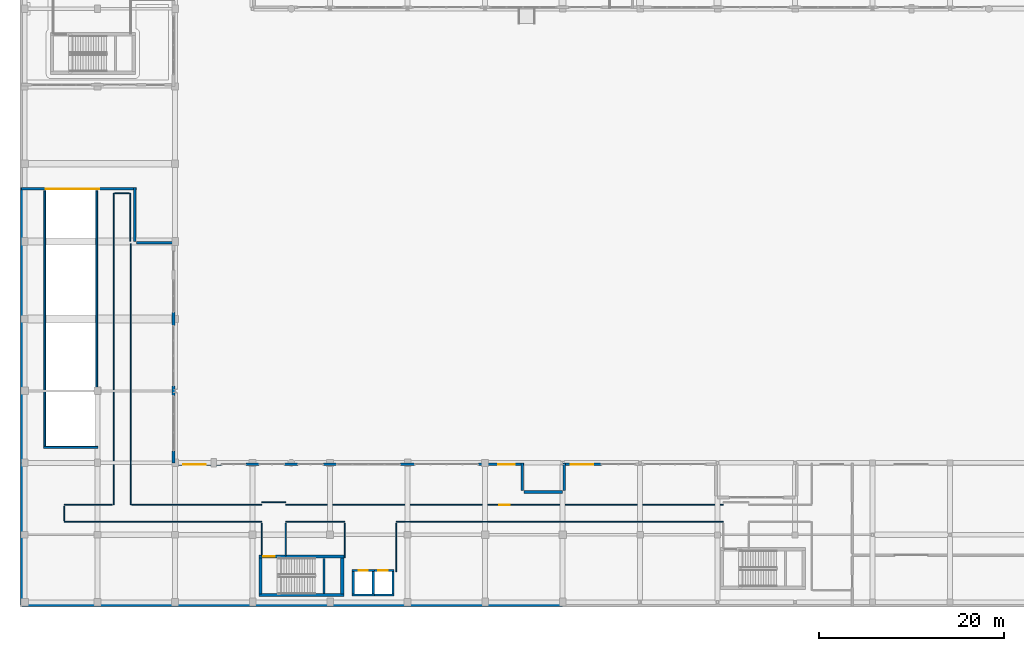
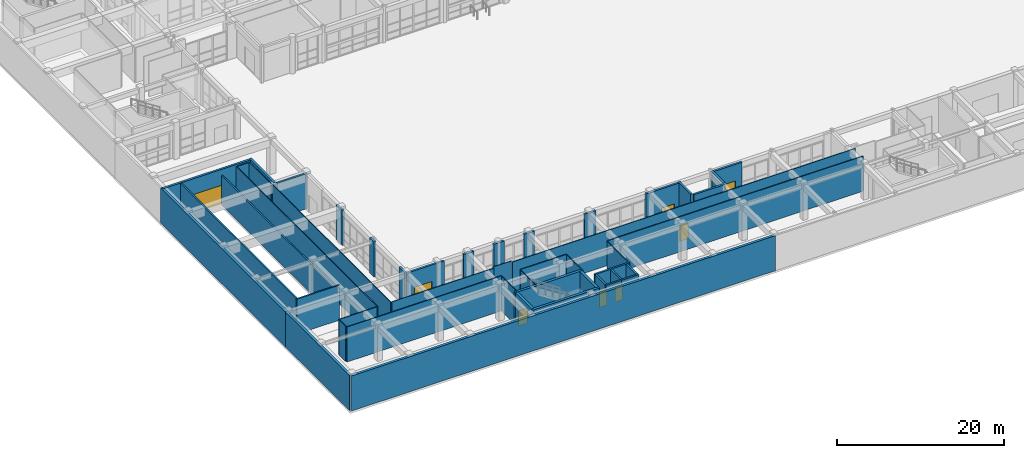
# One storey, part 127 of 148: 50 walls, 8 doors, 8 openings.
"""IFC4 building model written with IfcOpenShell, lengths in metres."""

import ifcopenshell
import ifcopenshell.guid

model = None  # the IFC model being written
_history = None  # IfcOwnerHistory: only IFC2X3 demands one
_inside = {}  # id of a spatial element -> (the spatial element, [elements in it])
_under = {}  # id of a project, library or spatial element -> (it, [spatial elements below it])
_declared = {}  # id of a project -> (the project, [libraries it declares])
_typed = {}  # id of a type object -> (the type object, [elements of that type])
_made_of = {}  # id of a material, layer set ... -> (it, [elements and type objects made of it])


def new_model(schema):
    """Start an empty IFC model of exactly this schema.

    Asked for "IFC4X3", IfcOpenShell would pick the latest addendum, in which some entities
    have other attributes; the version numbers below select the first issue.
    IFC2X3 requires an IfcOwnerHistory on every rooted entity: one is made here for all.
    """
    global model, _history
    if schema == "IFC4X3":
        model = ifcopenshell.file(schema_version=(4, 3, 0, 0))
    else:
        model = ifcopenshell.file(schema=schema)
    _inside.clear()
    _under.clear()
    _declared.clear()
    _typed.clear()
    _made_of.clear()
    _history = None
    if model.schema == "IFC2X3":
        org = make("IfcOrganization", Name="unknown")
        user = make(
            "IfcPersonAndOrganization",
            ThePerson=make("IfcPerson", FamilyName="unknown"),
            TheOrganization=org,
        )
        app = make(
            "IfcApplication",
            ApplicationDeveloper=org,
            Version="unknown",
            ApplicationFullName="unknown",
            ApplicationIdentifier="unknown",
        )
        _history = make(
            "IfcOwnerHistory",
            OwningUser=user,
            OwningApplication=app,
            ChangeAction="ADDED",
            CreationDate=0,
        )
    return model


def make(cls, **values):
    """One entity of the class cls with the attributes given. An attribute that is None is left unset."""
    return model.create_entity(
        cls, **{name: value for name, value in values.items() if value is not None}
    )


def rooted(cls, **values):
    """An entity with a GlobalId (a new one), such as an element, a storey or a relation."""
    return make(cls, GlobalId=ifcopenshell.guid.new(), OwnerHistory=_history, **values)


def si_unit(unit_type, name, prefix=None):
    """IfcSIUnit, for example si_unit("LENGTHUNIT", "METRE", prefix="MILLI")."""
    return make("IfcSIUnit", UnitType=unit_type, Prefix=prefix, Name=name)


def assignment(units):
    """IfcUnitAssignment: the units of a project."""
    return None if units is None else make("IfcUnitAssignment", Units=units)


def point(xyz):
    """IfcCartesianPoint."""
    return None if xyz is None else make("IfcCartesianPoint", Coordinates=xyz)


def direction(xyz):
    """IfcDirection."""
    return None if xyz is None else make("IfcDirection", DirectionRatios=xyz)


def frame(location, z_axis=None, x_axis=None):
    """IfcAxis2Placement3D, a coordinate frame: its origin and axes. An axis left out is left unset."""
    return make(
        "IfcAxis2Placement3D",
        Location=point(location),
        Axis=direction(z_axis),
        RefDirection=direction(x_axis),
    )


def frame_2d(location, x_axis=None):
    """IfcAxis2Placement2D, a coordinate frame in the plane: its origin and x axis."""
    return make(
        "IfcAxis2Placement2D", Location=point(location), RefDirection=direction(x_axis)
    )


def origin():
    """The frame at (0, 0, 0) with its axes left unset."""
    return frame((0.0, 0.0, 0.0))


def place(relative_to, where):
    """IfcLocalPlacement: puts the frame where relative to a parent placement (None: the world)."""
    return make(
        "IfcLocalPlacement", PlacementRelTo=relative_to, RelativePlacement=where
    )


def context(
    kind, dimensions, precision=None, world=None, true_north=None, identifier=None
):
    """IfcGeometricRepresentationContext, for example the 3D "Model" context."""
    return make(
        "IfcGeometricRepresentationContext",
        ContextIdentifier=identifier,
        ContextType=kind,
        CoordinateSpaceDimension=dimensions,
        Precision=precision,
        WorldCoordinateSystem=world,
        TrueNorth=true_north,
    )


def subcontext(parent, identifier, kind, view, scale=None):
    """IfcGeometricRepresentationSubContext, for example "Body" below "Model"."""
    return make(
        "IfcGeometricRepresentationSubContext",
        ContextIdentifier=identifier,
        ContextType=kind,
        ParentContext=parent,
        TargetScale=scale,
        TargetView=view,
    )


def project(units=None, contexts=None):
    """IfcProject with its units and contexts."""
    return rooted(
        "IfcProject",
        Name="project",
        RepresentationContexts=contexts,
        UnitsInContext=assignment(units),
    )


def spatial(cls, under=None, at=None, **own):
    """A site, building, storey or space (cls), placed at a placement, below another one or the project."""
    s = rooted(cls, ObjectPlacement=at, **own)
    if under is not None:
        _under.setdefault(under.id(), (under, []))[1].append(s)
    return s


def profile(cls, at=None, kind="AREA", **sizes):
    """A parametric profile (cls). Its sizes go by their IFC names, for example OverallWidth=200.0."""
    return make(cls, ProfileType=kind, Position=at, **sizes)


def rectangle(**sizes):
    """IfcRectangleProfileDef."""
    return profile("IfcRectangleProfileDef", **sizes)


def extrude(swept, where, along, depth):
    """IfcExtrudedAreaSolid: the profile swept, set in the frame where, extruded along a direction by depth."""
    return make(
        "IfcExtrudedAreaSolid",
        SweptArea=swept,
        Position=where,
        ExtrudedDirection=direction(along),
        Depth=depth,
    )


def shape(context_of_items, identifier, shape_type, items):
    """IfcShapeRepresentation: the items that make up one representation, for example the "Body"."""
    return make(
        "IfcShapeRepresentation",
        ContextOfItems=context_of_items,
        RepresentationIdentifier=identifier,
        RepresentationType=shape_type,
        Items=items,
    )


def material(Name=None, Category=None):
    """IfcMaterial."""
    return make("IfcMaterial", Name=Name, Category=Category)


def layer(
    of_material, thickness, ventilated=None, Name=None, Category=None, Priority=None
):
    """IfcMaterialLayer: one layer of a wall or slab, of a material (None: an air gap)."""
    return make(
        "IfcMaterialLayer",
        Material=of_material,
        LayerThickness=thickness,
        IsVentilated=ventilated,
        Name=Name,
        Category=Category,
        Priority=Priority,
    )


def layer_set(layers, Name=None):
    """IfcMaterialLayerSet."""
    return make("IfcMaterialLayerSet", MaterialLayers=layers, LayerSetName=Name)


def made_of(thing, what):
    """Note that an element or type object is made of a material, layer set ...; save() writes the relation."""
    if what is not None:
        _made_of.setdefault(what.id(), (what, []))[1].append(thing)
    return thing


def type_object(cls, material=None, **own):
    """A type object (cls), such as IfcWallType, which elements share."""
    return made_of(rooted(cls, **own), material)


def element(
    cls,
    number,
    at=None,
    inside=None,
    cuts=None,
    type_object=None,
    material=None,
    context=None,
    identifier="Body",
    shape_type=None,
    held_by="IfcProductDefinitionShape",
    body=None,
    shapes=None,
    **own,
):
    """One element of the class cls, such as IfcWall. Its Tag is "e" and its number.

    at: its placement. inside: the storey or other place that contains it. cuts: it is an
    opening in that element (IfcRelVoidsElement). A single representation is given by context,
    identifier, shape_type and body (its items); several are given by shapes. held_by: the class
    of the entity that holds the representations. save() writes the other relations.
    """
    e = rooted(cls, Tag="e%d" % number, ObjectPlacement=at, **own)
    if body is not None:
        shapes = [shape(context, identifier, shape_type, body)]
    if shapes is not None:
        e.Representation = make(held_by, Representations=shapes)
    if inside is not None:
        _inside.setdefault(inside.id(), (inside, []))[1].append(e)
    if cuts is not None:
        rooted(
            "IfcRelVoidsElement", RelatingBuildingElement=cuts, RelatedOpeningElement=e
        )
    if type_object is not None:
        _typed.setdefault(type_object.id(), (type_object, []))[1].append(e)
    return made_of(e, material)


def fill(opening, filler):
    """IfcRelFillsElement: the door or window that sits in an opening."""
    return rooted(
        "IfcRelFillsElement",
        RelatingOpeningElement=opening,
        RelatedBuildingElement=filler,
    )


def aggregate(whole, parts):
    """IfcRelAggregates: a whole, such as a stair, and the parts it consists of."""
    return rooted("IfcRelAggregates", RelatingObject=whole, RelatedObjects=parts)


def save(model, path):
    """Write the relations noted so far, then the file.

    IfcRelAggregates (storeys below a building ...), IfcRelContainedInSpatialStructure (elements
    in a storey), IfcRelDefinesByType, IfcRelAssociatesMaterial and IfcRelDeclares: one each for
    every whole, place, type object, material and project.
    """
    for whole, parts in _under.values():
        aggregate(whole, parts)
    for where, things in _inside.values():
        rooted(
            "IfcRelContainedInSpatialStructure",
            RelatedElements=things,
            RelatingStructure=where,
        )
    for kind, things in _typed.values():
        rooted("IfcRelDefinesByType", RelatedObjects=things, RelatingType=kind)
    for what, things in _made_of.values():
        rooted("IfcRelAssociatesMaterial", RelatedObjects=things, RelatingMaterial=what)
    for by, libraries in _declared.values():
        rooted("IfcRelDeclares", RelatingContext=by, RelatedDefinitions=libraries)
    model.write(path)


model = new_model("IFC4")

# Units and contexts
model_context = context("Model", 3, precision=1e-05, world=origin(), true_north=direction((0.0, 1.0)))
body_context = subcontext(model_context, "Body", "Model", "MODEL_VIEW")
ifc_project = project(units=[si_unit("LENGTHUNIT", "METRE"), si_unit("AREAUNIT", "SQUARE_METRE"), si_unit("VOLUMEUNIT", "CUBIC_METRE"), si_unit("PLANEANGLEUNIT", "RADIAN"), si_unit("MASSUNIT", "GRAM", prefix="KILO")], contexts=[model_context])

# Site, building, storey
site_placement = place(None, origin())
site = spatial("IfcSite", under=ifc_project, at=site_placement, CompositionType="ELEMENT")
building_placement = place(site_placement, origin())
building = spatial("IfcBuilding", under=site, at=building_placement, Name="Quendrovan Civic Courthouse", CompositionType="ELEMENT")
storey_placement = place(building_placement, origin())
storey = spatial("IfcBuildingStorey", under=building, at=storey_placement, Name="L01", CompositionType="ELEMENT", Elevation=0.0)

# Wall
ifc_material_1 = material(Name="Concrete C45/55", Category="concrete")
ifc_layer_1 = layer(ifc_material_1, 0.35009765625, Name="Concrete C45/55")
ifc_layer_set_1 = layer_set([ifc_layer_1], Name="Concrete C45/55")
wall_type_1 = type_object("IfcWallType", Name="WL-CORE-350", PredefinedType="SHEAR", material=ifc_layer_set_1)
wall_1_placement = place(storey_placement, frame((25.889892578125, 1.264892578125, 0.0), z_axis=(0.0, 0.0, 1.0), x_axis=(1.0, 0.0, 0.0)))
element("IfcWall", 1, at=wall_1_placement, inside=storey, type_object=wall_type_1, Name="L01 Core Shear Wall ST5-S", PredefinedType="SHEAR", context=body_context, shape_type="SweptSolid", body=[
    extrude(rectangle(XDim=9.22021484375, YDim=0.35009765625, at=frame_2d((4.610107421875, 0.0))), origin(), (0.0, 0.0, 1.0), 5.1201171875),
])

# Wall, opening, door
wall_2_placement = place(storey_placement, frame((35.110107421875, 5.43505859375, 0.0), z_axis=(0.0, 0.0, 1.0), x_axis=(-1.0, 0.0, 0.0)))
wall_2 = element("IfcWall", 2, at=wall_2_placement, inside=storey, type_object=wall_type_1, Name="L01 Core Shear Wall ST5-N", PredefinedType="SHEAR", context=body_context, shape_type="SweptSolid", body=[
    extrude(rectangle(XDim=9.22021484375, YDim=0.35009765625, at=frame_2d((4.610107421875, 0.0))), origin(), (0.0, 0.0, 1.0), 5.1201171875),
])
opening_1_placement = place(wall_2_placement, frame((7.5, 0.0, 0.0)))
opening_1 = element("IfcOpeningElement", 3, at=opening_1_placement, cuts=wall_2, Name="Opening DS-ST5-L01", PredefinedType="OPENING", context=body_context, shape_type="SweptSolid", body=[
    extrude(rectangle(XDim=1.25, YDim=2.199951171875, at=frame_2d((0.625, 1.10009765625))), frame((0.0, 0.18505859375, 0.0), z_axis=(0.0, -1.0, 0.0), x_axis=(1.0, 0.0, 0.0)), (0.0, 0.0, 1.0), 0.3701171875),
])
ifc_material_2 = material(Name="Painted galvanized hollow-metal steel", Category="steel")
door_type_1 = type_object("IfcDoorType", Name="DR-STAIR-1250", OperationType="NOTDEFINED", PredefinedType="DOOR", material=ifc_material_2)
door_1_placement = place(opening_1_placement, origin())
door_1 = element("IfcDoor", 4, at=door_1_placement, inside=storey, type_object=door_type_1, Name="L01 Exit Stair ST5 Fire Door", OperationType="SINGLE_SWING_LEFT", OverallHeight=2.199951171875, OverallWidth=1.25, PredefinedType="DOOR", context=body_context, shape_type="SweptSolid", body=[
    extrude(rectangle(XDim=1.25, YDim=2.199951171875, at=frame_2d((0.625, 1.10009765625))), frame((0.0, 0.02490234375, 0.0), z_axis=(0.0, -1.0, 0.0), x_axis=(1.0, 0.0, 0.0)), (0.0, 0.0, 1.0), 0.050048828125),
])
fill(opening_1, door_1)

# Walls
for number, where, z_axis, x_axis, name in (
    (5, (26.06494140625, 1.39990234375, 0.0), (0.0, 0.0, 1.0), (0.0, 1.0, 0.0), "L01 Core Shear Wall ST5-W"),
    (6, (34.93505859375, 5.300048828125, 0.0), (0.0, 0.0, 1.0), (0.0, -1.0, 0.0), "L01 Core Shear Wall ST5-E"),
):
    element("IfcWall", number, at=place(storey_placement, frame(where, z_axis=z_axis, x_axis=x_axis)), inside=storey, type_object=wall_type_1, Name=name, PredefinedType="SHEAR", context=body_context, shape_type="SweptSolid", body=[
        extrude(rectangle(XDim=3.900146484375, YDim=0.35009765625, at=frame_2d((1.9501953125, 0.0))), origin(), (0.0, 0.0, 1.0), 5.1201171875),
    ])
ifc_material_3 = material(Name="Concrete C40/50", Category="concrete")
ifc_layer_2 = layer(ifc_material_3, 0.199951171875, Name="Concrete C40/50")
ifc_layer_set_2 = layer_set([ifc_layer_2], Name="Concrete C40/50")
wall_type_2 = type_object("IfcWallType", Name="WL-CUST-200", PredefinedType="PARTITIONING", material=ifc_layer_set_2)
wall_3_placement = place(storey_placement, frame((2.675048828125, 17.27490234375, 0.0), z_axis=(0.0, 0.0, 1.0), x_axis=(0.0, 1.0, 0.0)))
element("IfcWall", 7, at=wall_3_placement, inside=storey, type_object=wall_type_2, Name="L01 Vehicle Ramp Well Enclosure Wall W", PredefinedType="PARTITIONING", context=body_context, shape_type="SweptSolid", body=[
    extrude(rectangle(XDim=27.80517578125, YDim=0.199951171875, at=frame_2d((13.902587890625, 0.0))), origin(), (0.0, 0.0, 1.0), 5.1201171875),
])
wall_4_placement = place(storey_placement, frame((2.550048828125, 17.27490234375, 0.0), z_axis=(0.0, 0.0, 1.0), x_axis=(1.0, 0.0, 0.0)))
element("IfcWall", 8, at=wall_4_placement, inside=storey, type_object=wall_type_2, Name="L01 Vehicle Ramp Well Enclosure Wall S", PredefinedType="PARTITIONING", context=body_context, shape_type="SweptSolid", body=[
    extrude(rectangle(XDim=5.89990234375, YDim=0.199951171875, at=frame_2d((2.949951171875, 0.0))), origin(), (0.0, 0.0, 1.0), 5.1201171875),
])
wall_5_placement = place(storey_placement, frame((8.324951171875, 45.080078125, 0.0), z_axis=(0.0, 0.0, 1.0), x_axis=(0.0, -1.0, 0.0)))
element("IfcWall", 9, at=wall_5_placement, inside=storey, type_object=wall_type_2, Name="L01 Vehicle Ramp Well Enclosure Wall E", PredefinedType="PARTITIONING", context=body_context, shape_type="SweptSolid", body=[
    extrude(rectangle(XDim=27.80517578125, YDim=0.199951171875, at=frame_2d((13.902587890625, 0.0))), origin(), (0.0, 0.0, 1.0), 4.31005859375),
])

# Wall, opening, door
ifc_material_4 = material(Name="Precast concrete C45/55", Category="concrete")
ifc_layer_3 = layer(ifc_material_4, 0.2900390625, Name="Precast concrete C45/55")
ifc_layer_set_3 = layer_set([ifc_layer_3], Name="Precast concrete C45/55")
wall_type_3 = type_object("IfcWallType", Name="WL-EXT-PC290", PredefinedType="SOLIDWALL", material=ifc_layer_set_3)
wall_6_placement = place(storey_placement, frame((0.175048828125, 45.284912109375, 0.0), z_axis=(0.0, 0.0, 1.0), x_axis=(1.0, 0.0, 0.0)))
wall_6 = element("IfcWall", 10, at=wall_6_placement, inside=storey, type_object=wall_type_3, Name="L01 Exterior Civic Portal Wall 046", PredefinedType="SOLIDWALL", context=body_context, shape_type="SweptSolid", body=[
    extrude(rectangle(XDim=12.425048828125, YDim=0.2900390625, at=frame_2d((6.21240234375, 0.0))), origin(), (0.0, 0.0, 1.0), 5.1201171875),
])
opening_2_placement = place(wall_6_placement, frame((2.60009765625, 0.0, 0.0)))
opening_2 = element("IfcOpeningElement", 11, at=opening_2_placement, cuts=wall_6, Name="Opening G-R1", PredefinedType="OPENING", context=body_context, shape_type="SweptSolid", body=[
    extrude(rectangle(XDim=5.800048828125, YDim=2.800048828125, at=frame_2d((2.89990234375, 1.39990234375))), frame((0.0, 0.155029296875, 0.0), z_axis=(0.0, -1.0, 0.0), x_axis=(1.0, 0.0, 0.0)), (0.0, 0.0, 1.0), 0.31005859375),
])
ifc_material_5 = material(Name="Bronze anodised aluminium", Category="aluminium")
door_type_2 = type_object("IfcDoorType", Name="GT-RAMP-5800", OperationType="NOTDEFINED", PredefinedType="GATE", material=ifc_material_5)
door_2_placement = place(opening_2_placement, origin())
door_2 = element("IfcDoor", 12, at=door_2_placement, inside=storey, type_object=door_type_2, Name="Basement Vehicle Ramp Roller Shutter Gate G-R1", OperationType="ROLLINGUP", OverallHeight=2.800048828125, OverallWidth=5.800048828125, PredefinedType="GATE", context=body_context, shape_type="SweptSolid", body=[
    extrude(rectangle(XDim=5.800048828125, YDim=2.800048828125, at=frame_2d((2.89990234375, 1.39990234375))), frame((0.0, 0.02490234375, 0.0), z_axis=(0.0, -1.0, 0.0), x_axis=(1.0, 0.0, 0.0)), (0.0, 0.0, 1.0), 0.050048828125),
])
fill(opening_2, door_2)

# Walls
wall_7_placement = place(storey_placement, frame((12.43505859375, 45.449951171875, 0.0), z_axis=(0.0, 0.0, 1.0), x_axis=(0.0, -1.0, 0.0)))
element("IfcWall", 13, at=wall_7_placement, inside=storey, type_object=wall_type_3, Name="L01 Exterior Civic Portal Wall 047", PredefinedType="SOLIDWALL", context=body_context, shape_type="SweptSolid", body=[
    extrude(rectangle(XDim=5.849853515625, YDim=0.2900390625, at=frame_2d((2.9248046875, 0.0))), origin(), (0.0, 0.0, 1.0), 5.1201171875),
])
wall_8_placement = place(storey_placement, frame((12.60009765625, 39.43505859375, 0.0), z_axis=(0.0, 0.0, 1.0), x_axis=(1.0, 0.0, 0.0)))
element("IfcWall", 14, at=wall_8_placement, inside=storey, type_object=wall_type_3, Name="L01 Exterior Civic Portal Wall 048", PredefinedType="SOLIDWALL", context=body_context, shape_type="SweptSolid", body=[
    extrude(rectangle(XDim=4.199951171875, YDim=0.2900390625, at=frame_2d((2.10009765625, 0.0))), origin(), (0.0, 0.0, 1.0), 5.1201171875),
])
wall_9_placement = place(storey_placement, frame((16.635009765625, 31.925048828125, 0.0), z_axis=(0.0, 0.0, 1.0), x_axis=(0.0, -1.0, 0.0)))
element("IfcWall", 15, at=wall_9_placement, inside=storey, type_object=wall_type_3, Name="L01 Exterior Pier Wall 050", PredefinedType="SOLIDWALL", context=body_context, shape_type="SweptSolid", body=[
    extrude(rectangle(XDim=1.449951171875, YDim=0.2900390625, at=frame_2d((0.72509765625, 0.0))), origin(), (0.0, 0.0, 1.0), 5.1201171875),
])
wall_10_placement = place(storey_placement, frame((16.635009765625, 23.93701171875, 0.0), z_axis=(0.0, 0.0, 1.0), x_axis=(0.0, -1.0, 0.0)))
element("IfcWall", 16, at=wall_10_placement, inside=storey, type_object=wall_type_3, Name="L01 Exterior Pier Wall 051", PredefinedType="SOLIDWALL", context=body_context, shape_type="SweptSolid", body=[
    extrude(rectangle(XDim=1.073974609375, YDim=0.2900390625, at=frame_2d((0.537109375, 0.0))), origin(), (0.0, 0.0, 1.0), 5.1201171875),
])
wall_11_placement = place(storey_placement, frame((16.635009765625, 16.89990234375, 0.0), z_axis=(0.0, 0.0, 1.0), x_axis=(0.0, -1.0, 0.0)))
element("IfcWall", 17, at=wall_11_placement, inside=storey, type_object=wall_type_3, Name="L01 Exterior Pier Wall 052", PredefinedType="SOLIDWALL", context=body_context, shape_type="SweptSolid", body=[
    extrude(rectangle(XDim=1.2998046875, YDim=0.2900390625, at=frame_2d((0.64990234375, 0.0))), origin(), (0.0, 0.0, 1.0), 5.1201171875),
])

# Wall, opening, door
wall_12_placement = place(storey_placement, frame((16.800048828125, 15.43505859375, 0.0), z_axis=(0.0, 0.0, 1.0), x_axis=(1.0, 0.0, 0.0)))
wall_12 = element("IfcWall", 18, at=wall_12_placement, inside=storey, type_object=wall_type_3, Name="L01 Exterior Pier Wall 053", PredefinedType="SOLIDWALL", context=body_context, shape_type="SweptSolid", body=[
    extrude(rectangle(XDim=5.02490234375, YDim=0.2900390625, at=frame_2d((2.512451171875, 0.0))), origin(), (0.0, 0.0, 1.0), 5.1201171875),
])
opening_3_placement = place(wall_12_placement, frame((0.910400390625, 0.0, 0.0)))
opening_3 = element("IfcOpeningElement", 19, at=opening_3_placement, cuts=wall_12, Name="Opening DE-11", PredefinedType="OPENING", context=body_context, shape_type="SweptSolid", body=[
    extrude(rectangle(XDim=2.39990234375, YDim=2.699951171875, at=frame_2d((1.199951171875, 1.35009765625))), frame((0.0, 0.155029296875, 0.0), z_axis=(0.0, -1.0, 0.0), x_axis=(1.0, 0.0, 0.0)), (0.0, 0.0, 1.0), 0.31005859375),
])
ifc_material_6 = material(Name="Bronze anodised aluminium and low-E glass", Category="aluminium")
door_type_3 = type_object("IfcDoorType", Name="DR-EXT-MAIN-2400", OperationType="NOTDEFINED", PredefinedType="DOOR", material=ifc_material_6)
door_3_placement = place(opening_3_placement, origin())
door_3 = element("IfcDoor", 20, at=door_3_placement, inside=storey, type_object=door_type_3, Name="L01 Courtyard Civic Exit Door DE-11", OperationType="SINGLE_SWING_LEFT", OverallHeight=2.699951171875, OverallWidth=2.39990234375, PredefinedType="DOOR", context=body_context, shape_type="SweptSolid", body=[
    extrude(rectangle(XDim=2.39990234375, YDim=2.699951171875, at=frame_2d((1.199951171875, 1.35009765625))), frame((0.0, 0.02490234375, 0.0), z_axis=(0.0, -1.0, 0.0), x_axis=(1.0, 0.0, 0.0)), (0.0, 0.0, 1.0), 0.050048828125),
])
fill(opening_3, door_3)

# Walls
for number, where, z_axis, x_axis, name in (
    (21, (24.47509765625, 15.43505859375, 0.0), (0.0, 0.0, 1.0), (1.0, 0.0, 0.0), "L01 Exterior Pier Wall 054"),
    (22, (28.675048828125, 15.43505859375, 0.0), (0.0, 0.0, 1.0), (1.0, 0.0, 0.0), "L01 Exterior Pier Wall 055"),
    (23, (32.875, 15.43505859375, 0.0), (0.0, 0.0, 1.0), (1.0, 0.0, 0.0), "L01 Exterior Pier Wall 056"),
):
    element("IfcWall", number, at=place(storey_placement, frame(where, z_axis=z_axis, x_axis=x_axis)), inside=storey, type_object=wall_type_3, Name=name, PredefinedType="SOLIDWALL", context=body_context, shape_type="SweptSolid", body=[
        extrude(rectangle(XDim=1.449951171875, YDim=0.2900390625, at=frame_2d((0.72509765625, 0.0))), origin(), (0.0, 0.0, 1.0), 5.1201171875),
    ])
wall_13_placement = place(storey_placement, frame((41.22509765625, 15.43505859375, 0.0), z_axis=(0.0, 0.0, 1.0), x_axis=(1.0, 0.0, 0.0)))
element("IfcWall", 24, at=wall_13_placement, inside=storey, type_object=wall_type_3, Name="L01 Exterior Pier Wall 057", PredefinedType="SOLIDWALL", context=body_context, shape_type="SweptSolid", body=[
    extrude(rectangle(XDim=1.5498046875, YDim=0.2900390625, at=frame_2d((0.77490234375, 0.0))), origin(), (0.0, 0.0, 1.0), 5.1201171875),
])

# Wall, opening, door
wall_14_placement = place(storey_placement, frame((49.675048828125, 15.43505859375, 0.0), z_axis=(0.0, 0.0, 1.0), x_axis=(1.0, 0.0, 0.0)))
wall_14 = element("IfcWall", 25, at=wall_14_placement, inside=storey, type_object=wall_type_3, Name="L01 Exterior Pier Wall 058", PredefinedType="SOLIDWALL", context=body_context, shape_type="SweptSolid", body=[
    extrude(rectangle(XDim=4.925048828125, YDim=0.2900390625, at=frame_2d((2.46240234375, 0.0))), origin(), (0.0, 0.0, 1.0), 5.1201171875),
])
opening_4_placement = place(wall_14_placement, frame((2.153564453125, 0.0, 0.0)))
opening_4 = element("IfcOpeningElement", 26, at=opening_4_placement, cuts=wall_14, Name="Opening DE-02", PredefinedType="OPENING", context=body_context, shape_type="SweptSolid", body=[
    extrude(rectangle(XDim=1.800048828125, YDim=2.300048828125, at=frame_2d((0.89990234375, 1.14990234375))), frame((0.0, 0.155029296875, 0.0), z_axis=(0.0, -1.0, 0.0), x_axis=(1.0, 0.0, 0.0)), (0.0, 0.0, 1.0), 0.31005859375),
])
ifc_material_7 = material(Name="Painted galvanized hollow-metal steel ASTM A653 Grade 50", Category="steel")
door_type_4 = type_object("IfcDoorType", Name="DR-EXT-EXIT-1800", OperationType="NOTDEFINED", PredefinedType="DOOR", material=ifc_material_7)
door_4_placement = place(opening_4_placement, origin())
door_4 = element("IfcDoor", 27, at=door_4_placement, inside=storey, type_object=door_type_4, Name="L01 Civic Entrance and Exit Discharge Door DE-02", OperationType="SINGLE_SWING_LEFT", OverallHeight=2.300048828125, OverallWidth=1.800048828125, PredefinedType="DOOR", context=body_context, shape_type="SweptSolid", body=[
    extrude(rectangle(XDim=1.800048828125, YDim=2.300048828125, at=frame_2d((0.89990234375, 1.14990234375))), frame((0.0, 0.02490234375, 0.0), z_axis=(0.0, -1.0, 0.0), x_axis=(1.0, 0.0, 0.0)), (0.0, 0.0, 1.0), 0.050048828125),
])
fill(opening_4, door_4)

# Walls
wall_15_placement = place(storey_placement, frame((54.43505859375, 15.60009765625, 0.0), z_axis=(0.0, 0.0, 1.0), x_axis=(0.0, -1.0, 0.0)))
element("IfcWall", 28, at=wall_15_placement, inside=storey, type_object=wall_type_3, Name="L01 Exterior Civic Portal Wall 059", PredefinedType="SOLIDWALL", context=body_context, shape_type="SweptSolid", body=[
    extrude(rectangle(XDim=3.0, YDim=0.2900390625, at=frame_2d((1.5, 0.0))), origin(), (0.0, 0.0, 1.0), 5.1201171875),
])
wall_16_placement = place(storey_placement, frame((54.60009765625, 12.43505859375, 0.0), z_axis=(0.0, 0.0, 1.0), x_axis=(1.0, 0.0, 0.0)))
element("IfcWall", 29, at=wall_16_placement, inside=storey, type_object=wall_type_3, Name="L01 Exterior Civic Portal Wall 060", PredefinedType="SOLIDWALL", context=body_context, shape_type="SweptSolid", body=[
    extrude(rectangle(XDim=4.199951171875, YDim=0.2900390625, at=frame_2d((2.10009765625, 0.0))), origin(), (0.0, 0.0, 1.0), 5.1201171875),
])
wall_17_placement = place(storey_placement, frame((58.965087890625, 12.60009765625, 0.0), z_axis=(0.0, 0.0, 1.0), x_axis=(0.0, 1.0, 0.0)))
element("IfcWall", 30, at=wall_17_placement, inside=storey, type_object=wall_type_3, Name="L01 Exterior Civic Portal Wall 061", PredefinedType="SOLIDWALL", context=body_context, shape_type="SweptSolid", body=[
    extrude(rectangle(XDim=3.0, YDim=0.2900390625, at=frame_2d((1.5, 0.0))), origin(), (0.0, 0.0, 1.0), 5.1201171875),
])

# Wall, opening, door
wall_18_placement = place(storey_placement, frame((58.800048828125, 15.43505859375, 0.0), z_axis=(0.0, 0.0, 1.0), x_axis=(1.0, 0.0, 0.0)))
wall_18 = element("IfcWall", 31, at=wall_18_placement, inside=storey, type_object=wall_type_3, Name="L01 Exterior Pier Wall 062", PredefinedType="SOLIDWALL", context=body_context, shape_type="SweptSolid", body=[
    extrude(rectangle(XDim=4.199951171875, YDim=0.2900390625, at=frame_2d((2.10009765625, 0.0))), origin(), (0.0, 0.0, 1.0), 5.1201171875),
])
opening_5_placement = place(wall_18_placement, frame((0.89990234375, 0.0, 0.0)))
opening_5 = element("IfcOpeningElement", 32, at=opening_5_placement, cuts=wall_18, Name="Opening DE-03", PredefinedType="OPENING", context=body_context, shape_type="SweptSolid", body=[
    extrude(rectangle(XDim=2.39990234375, YDim=2.699951171875, at=frame_2d((1.199951171875, 1.35009765625))), frame((0.0, 0.155029296875, 0.0), z_axis=(0.0, -1.0, 0.0), x_axis=(1.0, 0.0, 0.0)), (0.0, 0.0, 1.0), 0.31005859375),
])
door_5_placement = place(opening_5_placement, origin())
door_5 = element("IfcDoor", 33, at=door_5_placement, inside=storey, type_object=door_type_3, Name="L01 Civic Entrance and Exit Discharge Door DE-03", OperationType="SINGLE_SWING_LEFT", OverallHeight=2.699951171875, OverallWidth=2.39990234375, PredefinedType="DOOR", context=body_context, shape_type="SweptSolid", body=[
    extrude(rectangle(XDim=2.39990234375, YDim=2.699951171875, at=frame_2d((1.199951171875, 1.35009765625))), frame((0.0, 0.02490234375, 0.0), z_axis=(0.0, -1.0, 0.0), x_axis=(1.0, 0.0, 0.0)), (0.0, 0.0, 1.0), 0.050048828125),
])
fill(opening_5, door_5)

# Walls
ifc_layer_4 = layer(ifc_material_3, 0.360107421875, Name="Concrete C40/50")
ifc_layer_set_4 = layer_set([ifc_layer_4], Name="Concrete C40/50")
wall_type_4 = type_object("IfcWallType", Name="WL-PARTY-360", PredefinedType="SOLIDWALL", material=ifc_layer_set_4)
wall_19_placement = place(storey_placement, frame((58.800048828125, 0.2099609375, 0.0), z_axis=(0.0, 0.0, 1.0), x_axis=(-1.0, 0.0, 0.0)))
element("IfcWall", 34, at=wall_19_placement, inside=storey, type_object=wall_type_4, Name="L01 Fire-Rated Boundary Party Wall 072", PredefinedType="SOLIDWALL", context=body_context, shape_type="SweptSolid", body=[
    extrude(rectangle(XDim=58.590087890625, YDim=0.360107421875, at=frame_2d((29.294921875, 0.0))), origin(), (0.0, 0.0, 1.0), 5.1201171875),
])
wall_20_placement = place(storey_placement, frame((0.2099609375, 0.2099609375, 0.0), z_axis=(0.0, 0.0, 1.0), x_axis=(0.0, 1.0, 0.0)))
element("IfcWall", 35, at=wall_20_placement, inside=storey, type_object=wall_type_4, Name="L01 Fire-Rated Boundary Party Wall 073", PredefinedType="SOLIDWALL", context=body_context, shape_type="SweptSolid", body=[
    extrude(rectangle(XDim=15.39013671875, YDim=0.360107421875, at=frame_2d((7.695068359375, 0.0))), origin(), (0.0, 0.0, 1.0), 5.1201171875),
])
wall_21_placement = place(storey_placement, frame((0.2099609375, 15.60009765625, 0.0), z_axis=(0.0, 0.0, 1.0), x_axis=(0.0, 1.0, 0.0)))
element("IfcWall", 36, at=wall_21_placement, inside=storey, type_object=wall_type_4, Name="L01 Fire-Rated Boundary Party Wall 074", PredefinedType="SOLIDWALL", context=body_context, shape_type="SweptSolid", body=[
    extrude(rectangle(XDim=29.849853515625, YDim=0.360107421875, at=frame_2d((14.9248046875, 0.0))), origin(), (0.0, 0.0, 1.0), 5.1201171875),
])
ifc_layer_5 = layer(ifc_material_1, 0.25, Name="Concrete C45/55")
ifc_layer_set_5 = layer_set([ifc_layer_5], Name="Concrete C45/55")
wall_type_5 = type_object("IfcWallType", Name="WL-SHAFT-250", PredefinedType="SHEAR", material=ifc_layer_set_5)
wall_22_placement = place(storey_placement, frame((32.949951171875, 1.449951171875, 0.0), z_axis=(0.0, 0.0, 1.0), x_axis=(0.0, 1.0, 0.0)))
element("IfcWall", 37, at=wall_22_placement, inside=storey, type_object=wall_type_5, Name="L01 Stair ST5 Mid-Landing Bearing Wall", PredefinedType="SHEAR", context=body_context, shape_type="SweptSolid", body=[
    extrude(rectangle(XDim=3.800048828125, YDim=0.25, at=frame_2d((1.89990234375, 0.0))), origin(), (0.0, 0.0, 1.0), 2.52001953125),
])
wall_23_placement = place(storey_placement, frame((36.0, 1.27490234375, 0.0), z_axis=(0.0, 0.0, 1.0), x_axis=(1.0, 0.0, 0.0)))
element("IfcWall", 38, at=wall_23_placement, inside=storey, type_object=wall_type_5, Name="L01 Lift Hoistway Wall CL1 -Y", PredefinedType="SHEAR", context=body_context, shape_type="SweptSolid", body=[
    extrude(rectangle(XDim=2.39990234375, YDim=0.25, at=frame_2d((1.199951171875, 0.0))), origin(), (0.0, 0.0, 1.0), 5.1201171875),
])

# Wall, opening, door
wall_24_placement = place(storey_placement, frame((38.39990234375, 3.925048828125, 0.0), z_axis=(0.0, 0.0, 1.0), x_axis=(-1.0, 0.0, 0.0)))
wall_24 = element("IfcWall", 39, at=wall_24_placement, inside=storey, type_object=wall_type_5, Name="L01 Lift Hoistway Wall CL1 +Y", PredefinedType="SHEAR", context=body_context, shape_type="SweptSolid", body=[
    extrude(rectangle(XDim=2.39990234375, YDim=0.25, at=frame_2d((1.199951171875, 0.0))), origin(), (0.0, 0.0, 1.0), 5.1201171875),
])
opening_6_placement = place(wall_24_placement, frame((0.68994140625, 0.0, 0.0)))
opening_6 = element("IfcOpeningElement", 40, at=opening_6_placement, cuts=wall_24, Name="Opening LD-CL1-L01", PredefinedType="OPENING", context=body_context, shape_type="SweptSolid", body=[
    extrude(rectangle(XDim=1.02001953125, YDim=2.14990234375, at=frame_2d((0.510009765625, 1.074951171875))), frame((0.0, 0.135009765625, 0.0), z_axis=(0.0, -1.0, 0.0), x_axis=(1.0, 0.0, 0.0)), (0.0, 0.0, 1.0), 0.27001953125),
])
ifc_material_8 = material(Name="Heavy security stainless steel", Category="steel")
door_type_5 = type_object("IfcDoorType", Name="DR-LIFT-LD-CL", OperationType="NOTDEFINED", PredefinedType="DOOR", material=ifc_material_8)
door_6_placement = place(opening_6_placement, origin())
door_6 = element("IfcDoor", 41, at=door_6_placement, inside=storey, type_object=door_type_5, Name="L01 Lift CL1 Sliding Landing Door", OperationType="SLIDING_TO_RIGHT", OverallHeight=2.14990234375, OverallWidth=1.02001953125, PredefinedType="DOOR", context=body_context, shape_type="SweptSolid", body=[
    extrude(rectangle(XDim=1.02001953125, YDim=2.14990234375, at=frame_2d((0.510009765625, 1.074951171875))), frame((0.0, 0.02490234375, 0.0), z_axis=(0.0, -1.0, 0.0), x_axis=(1.0, 0.0, 0.0)), (0.0, 0.0, 1.0), 0.050048828125),
])
fill(opening_6, door_6)

# Walls
for number, where, z_axis, x_axis, name in (
    (42, (36.125, 1.39990234375, 0.0), (0.0, 0.0, 1.0), (0.0, 1.0, 0.0), "L01 Lift Hoistway Wall CL1 -X"),
    (43, (38.27490234375, 3.800048828125, 0.0), (0.0, 0.0, 1.0), (0.0, -1.0, 0.0), "L01 Lift Hoistway Wall CL1 +X"),
    (44, (38.14990234375, 1.27490234375, 0.0), (0.0, 0.0, 1.0), (1.0, 0.0, 0.0), "L01 Lift Hoistway Wall CL2 -Y"),
):
    element("IfcWall", number, at=place(storey_placement, frame(where, z_axis=z_axis, x_axis=x_axis)), inside=storey, type_object=wall_type_5, Name=name, PredefinedType="SHEAR", context=body_context, shape_type="SweptSolid", body=[
        extrude(rectangle(XDim=2.400146484375, YDim=0.25, at=frame_2d((1.2001953125, 0.0))), origin(), (0.0, 0.0, 1.0), 5.1201171875),
    ])

# Wall, opening, door
wall_25_placement = place(storey_placement, frame((40.550048828125, 3.925048828125, 0.0), z_axis=(0.0, 0.0, 1.0), x_axis=(-1.0, 0.0, 0.0)))
wall_25 = element("IfcWall", 45, at=wall_25_placement, inside=storey, type_object=wall_type_5, Name="L01 Lift Hoistway Wall CL2 +Y", PredefinedType="SHEAR", context=body_context, shape_type="SweptSolid", body=[
    extrude(rectangle(XDim=2.400146484375, YDim=0.25, at=frame_2d((1.2001953125, 0.0))), origin(), (0.0, 0.0, 1.0), 5.1201171875),
])
opening_7_placement = place(wall_25_placement, frame((0.68994140625, 0.0, 0.0)))
opening_7 = element("IfcOpeningElement", 46, at=opening_7_placement, cuts=wall_25, Name="Opening LD-CL2-L01", PredefinedType="OPENING", context=body_context, shape_type="SweptSolid", body=[
    extrude(rectangle(XDim=1.02001953125, YDim=2.14990234375, at=frame_2d((0.510009765625, 1.074951171875))), frame((0.0, 0.135009765625, 0.0), z_axis=(0.0, -1.0, 0.0), x_axis=(1.0, 0.0, 0.0)), (0.0, 0.0, 1.0), 0.27001953125),
])
door_7_placement = place(opening_7_placement, origin())
door_7 = element("IfcDoor", 47, at=door_7_placement, inside=storey, type_object=door_type_5, Name="L01 Lift CL2 Sliding Landing Door", OperationType="SLIDING_TO_RIGHT", OverallHeight=2.14990234375, OverallWidth=1.02001953125, PredefinedType="DOOR", context=body_context, shape_type="SweptSolid", body=[
    extrude(rectangle(XDim=1.02001953125, YDim=2.14990234375, at=frame_2d((0.510009765625, 1.074951171875))), frame((0.0, 0.02490234375, 0.0), z_axis=(0.0, -1.0, 0.0), x_axis=(1.0, 0.0, 0.0)), (0.0, 0.0, 1.0), 0.050048828125),
])
fill(opening_7, door_7)

# Wall
wall_26_placement = place(storey_placement, frame((40.425048828125, 3.800048828125, 0.0), z_axis=(0.0, 0.0, 1.0), x_axis=(0.0, -1.0, 0.0)))
element("IfcWall", 48, at=wall_26_placement, inside=storey, type_object=wall_type_5, Name="L01 Lift Hoistway Wall CL2 +X", PredefinedType="SHEAR", context=body_context, shape_type="SweptSolid", body=[
    extrude(rectangle(XDim=2.400146484375, YDim=0.25, at=frame_2d((1.2001953125, 0.0))), origin(), (0.0, 0.0, 1.0), 5.1201171875),
])

# Wall, opening, door
ifc_material_9 = material(Name="Moisture-resistant tile-backer partition")
ifc_layer_6 = layer(ifc_material_9, 0.110107421875, Name="Moisture-resistant tile-backer partition")
ifc_layer_set_6 = layer_set([ifc_layer_6], Name="Moisture-resistant tile-backer partition")
wall_type_6 = type_object("IfcWallType", Name="WL-WET-110", PredefinedType="PARTITIONING", material=ifc_layer_set_6)
wall_27_placement = place(storey_placement, frame((76.199951171875, 11.050048828125, 0.0), z_axis=(0.0, 0.0, 1.0), x_axis=(-1.0, 0.0, 0.0)))
wall_27 = element("IfcWall", 49, at=wall_27_placement, inside=storey, type_object=wall_type_6, Name="L01 Mediation Hearing Room Partition 0154", PredefinedType="PARTITIONING", context=body_context, shape_type="SweptSolid", body=[
    extrude(rectangle(XDim=47.39990234375, YDim=0.110107421875, at=frame_2d((23.699951171875, 0.0))), origin(), (0.0, 0.0, 1.0), 5.1201171875),
])
opening_8_placement = place(wall_27_placement, frame((23.1201171875, 0.0, 0.0)))
opening_8 = element("IfcOpeningElement", 50, at=opening_8_placement, cuts=wall_27, Name="Opening D-L01-032", PredefinedType="OPENING", context=body_context, shape_type="SweptSolid", body=[
    extrude(rectangle(XDim=1.159912109375, YDim=2.320068359375, at=frame_2d((0.580078125, 1.16015625))), frame((0.0, 0.06494140625, 0.0), z_axis=(0.0, -1.0, 0.0), x_axis=(1.0, 0.0, 0.0)), (0.0, 0.0, 1.0), 0.130126953125),
])
ifc_material_10 = material(Name="Acoustic timber door with vision panel", Category="wood")
door_type_6 = type_object("IfcDoorType", Name="DR-MED-1160", OperationType="NOTDEFINED", PredefinedType="DOOR", material=ifc_material_10)
door_8_placement = place(opening_8_placement, origin())
door_8 = element("IfcDoor", 51, at=door_8_placement, inside=storey, type_object=door_type_6, Name="L01 Mediation Hearing Room Door D-L01-032", OperationType="SINGLE_SWING_LEFT", OverallHeight=2.320068359375, OverallWidth=1.159912109375, PredefinedType="DOOR", context=body_context, shape_type="SweptSolid", body=[
    extrude(rectangle(XDim=1.159912109375, YDim=2.320068359375, at=frame_2d((0.580078125, 1.16015625))), frame((0.0, 0.02490234375, 0.0), z_axis=(0.0, -1.0, 0.0), x_axis=(1.0, 0.0, 0.0)), (0.0, 0.0, 1.0), 0.050048828125),
])
fill(opening_8, door_8)

# Walls
wall_28_placement = place(storey_placement, frame((40.800048828125, 9.199951171875, 0.0), z_axis=(0.0, 0.0, 1.0), x_axis=(1.0, 0.0, 0.0)))
element("IfcWall", 52, at=wall_28_placement, inside=storey, type_object=wall_type_6, Name="L01 Mediation Hearing Room Partition 0155", PredefinedType="PARTITIONING", context=body_context, shape_type="SweptSolid", body=[
    extrude(rectangle(XDim=35.39990234375, YDim=0.110107421875, at=frame_2d((17.699951171875, 0.0))), origin(), (0.0, 0.0, 1.0), 5.1201171875),
])
wall_29_placement = place(storey_placement, frame((10.14990234375, 44.800048828125, 0.0), z_axis=(0.0, 0.0, 1.0), x_axis=(0.0, -1.0, 0.0)))
element("IfcWall", 53, at=wall_29_placement, inside=storey, type_object=wall_type_6, Name="L01 Mediation Hearing Room Partition 0156", PredefinedType="PARTITIONING", context=body_context, shape_type="SweptSolid", body=[
    extrude(rectangle(XDim=33.75, YDim=0.110107421875, at=frame_2d((16.875, 0.0))), origin(), (0.0, 0.0, 1.0), 5.1201171875),
])
wall_30_placement = place(storey_placement, frame((12.0, 11.050048828125, 0.0), z_axis=(0.0, 0.0, 1.0), x_axis=(0.0, 1.0, 0.0)))
element("IfcWall", 54, at=wall_30_placement, inside=storey, type_object=wall_type_6, Name="L01 Mediation Hearing Room Partition 0158", PredefinedType="PARTITIONING", context=body_context, shape_type="SweptSolid", body=[
    extrude(rectangle(XDim=28.280029296875, YDim=0.110107421875, at=frame_2d((14.14013671875, 0.0))), origin(), (0.0, 0.0, 1.0), 5.1201171875),
])
wall_31_placement = place(storey_placement, frame((4.800048828125, 9.199951171875, 0.0), z_axis=(0.0, 0.0, 1.0), x_axis=(1.0, 0.0, 0.0)))
element("IfcWall", 55, at=wall_31_placement, inside=storey, type_object=wall_type_6, Name="L01 Mediation Hearing Room Partition 0165", PredefinedType="PARTITIONING", context=body_context, shape_type="SweptSolid", body=[
    extrude(rectangle(XDim=21.39990234375, YDim=0.110107421875, at=frame_2d((10.699951171875, 0.0))), origin(), (0.0, 0.0, 1.0), 5.1201171875),
])
wall_32_placement = place(storey_placement, frame((26.199951171875, 11.050048828125, 0.0), z_axis=(0.0, 0.0, 1.0), x_axis=(-1.0, 0.0, 0.0)))
element("IfcWall", 56, at=wall_32_placement, inside=storey, type_object=wall_type_6, Name="L01 Mediation Hearing Room Partition 0184", PredefinedType="PARTITIONING", context=body_context, shape_type="SweptSolid", body=[
    extrude(rectangle(XDim=14.06494140625, YDim=0.110107421875, at=frame_2d((7.032470703125, 0.0))), origin(), (0.0, 0.0, 1.0), 5.1201171875),
])
wall_33_placement = place(storey_placement, frame((28.800048828125, 9.199951171875, 0.0), z_axis=(0.0, 0.0, 1.0), x_axis=(1.0, 0.0, 0.0)))
element("IfcWall", 57, at=wall_33_placement, inside=storey, type_object=wall_type_6, Name="L01 Mediation Hearing Room Partition 0210", PredefinedType="PARTITIONING", context=body_context, shape_type="SweptSolid", body=[
    extrude(rectangle(XDim=6.39990234375, YDim=0.110107421875, at=frame_2d((3.199951171875, 0.0))), origin(), (0.0, 0.0, 1.0), 5.1201171875),
])
wall_34_placement = place(storey_placement, frame((35.199951171875, 9.06494140625, 0.0), z_axis=(0.0, 0.0, 1.0), x_axis=(0.0, -1.0, 0.0)))
element("IfcWall", 58, at=wall_34_placement, inside=storey, type_object=wall_type_6, Name="L01 Mediation Hearing Room Partition 0222", PredefinedType="PARTITIONING", context=body_context, shape_type="SweptSolid", body=[
    extrude(rectangle(XDim=3.764892578125, YDim=0.110107421875, at=frame_2d((1.88232421875, 0.0))), origin(), (0.0, 0.0, 1.0), 5.1201171875),
])
wall_35_placement = place(storey_placement, frame((40.800048828125, 3.800048828125, 0.0), z_axis=(0.0, 0.0, 1.0), x_axis=(0.0, 1.0, 0.0)))
element("IfcWall", 59, at=wall_35_placement, inside=storey, type_object=wall_type_6, Name="L01 Mediation Hearing Room Partition 0223", PredefinedType="PARTITIONING", context=body_context, shape_type="SweptSolid", body=[
    extrude(rectangle(XDim=5.264892578125, YDim=0.110107421875, at=frame_2d((2.63232421875, 0.0))), origin(), (0.0, 0.0, 1.0), 5.1201171875),
])
wall_36_placement = place(storey_placement, frame((10.014892578125, 11.050048828125, 0.0), z_axis=(0.0, 0.0, 1.0), x_axis=(-1.0, 0.0, 0.0)))
element("IfcWall", 60, at=wall_36_placement, inside=storey, type_object=wall_type_6, Name="L01 Mediation Hearing Room Partition 0224", PredefinedType="PARTITIONING", context=body_context, shape_type="SweptSolid", body=[
    extrude(rectangle(XDim=5.21484375, YDim=0.110107421875, at=frame_2d((2.607421875, 0.0))), origin(), (0.0, 0.0, 1.0), 5.1201171875),
])
wall_37_placement = place(storey_placement, frame((11.949951171875, 39.60009765625, 0.0), z_axis=(0.0, 0.0, 1.0), x_axis=(0.0, 1.0, 0.0)))
element("IfcWall", 61, at=wall_37_placement, inside=storey, type_object=wall_type_6, Name="L01 Mediation Hearing Room Partition 0225", PredefinedType="PARTITIONING", context=body_context, shape_type="SweptSolid", body=[
    extrude(rectangle(XDim=5.199951171875, YDim=0.110107421875, at=frame_2d((2.60009765625, 0.0))), origin(), (0.0, 0.0, 1.0), 5.1201171875),
])
for number, where, z_axis, x_axis, name in (
    (62, (26.199951171875, 9.06494140625, 0.0), (0.0, 0.0, 1.0), (0.0, -1.0, 0.0), "L01 Mediation Hearing Room Partition 0243"),
    (63, (28.800048828125, 5.52001953125, 0.0), (0.0, 0.0, 1.0), (0.0, 1.0, 0.0), "L01 Mediation Hearing Room Partition 0244"),
):
    element("IfcWall", number, at=place(storey_placement, frame(where, z_axis=z_axis, x_axis=x_axis)), inside=storey, type_object=wall_type_6, Name=name, PredefinedType="PARTITIONING", context=body_context, shape_type="SweptSolid", body=[
        extrude(rectangle(XDim=3.544921875, YDim=0.110107421875, at=frame_2d((1.7724609375, 0.0))), origin(), (0.0, 0.0, 1.0), 5.1201171875),
    ])
wall_38_placement = place(storey_placement, frame((28.800048828125, 11.300048828125, 0.0), z_axis=(0.0, 0.0, 1.0), x_axis=(-1.0, 0.0, 0.0)))
element("IfcWall", 64, at=wall_38_placement, inside=storey, type_object=wall_type_6, Name="L01 Mediation Hearing Room Partition 0264", PredefinedType="PARTITIONING", context=body_context, shape_type="SweptSolid", body=[
    extrude(rectangle(XDim=2.60009765625, YDim=0.110107421875, at=frame_2d((1.300048828125, 0.0))), origin(), (0.0, 0.0, 1.0), 5.1201171875),
])
wall_39_placement = place(storey_placement, frame((4.800048828125, 10.9150390625, 0.0), z_axis=(0.0, 0.0, 1.0), x_axis=(0.0, -1.0, 0.0)))
element("IfcWall", 65, at=wall_39_placement, inside=storey, type_object=wall_type_6, Name="L01 Mediation Hearing Room Partition 0277", PredefinedType="PARTITIONING", context=body_context, shape_type="SweptSolid", body=[
    extrude(rectangle(XDim=1.580078125, YDim=0.110107421875, at=frame_2d((0.7900390625, 0.0))), origin(), (0.0, 0.0, 1.0), 5.1201171875),
])
wall_40_placement = place(storey_placement, frame((11.81494140625, 44.800048828125, 0.0), z_axis=(0.0, 0.0, 1.0), x_axis=(-1.0, 0.0, 0.0)))
element("IfcWall", 66, at=wall_40_placement, inside=storey, type_object=wall_type_6, Name="L01 Mediation Hearing Room Partition 0280", PredefinedType="PARTITIONING", context=body_context, shape_type="SweptSolid", body=[
    extrude(rectangle(XDim=1.530029296875, YDim=0.110107421875, at=frame_2d((0.76513671875, 0.0))), origin(), (0.0, 0.0, 1.0), 5.1201171875),
])

save(model, "model.ifc")
